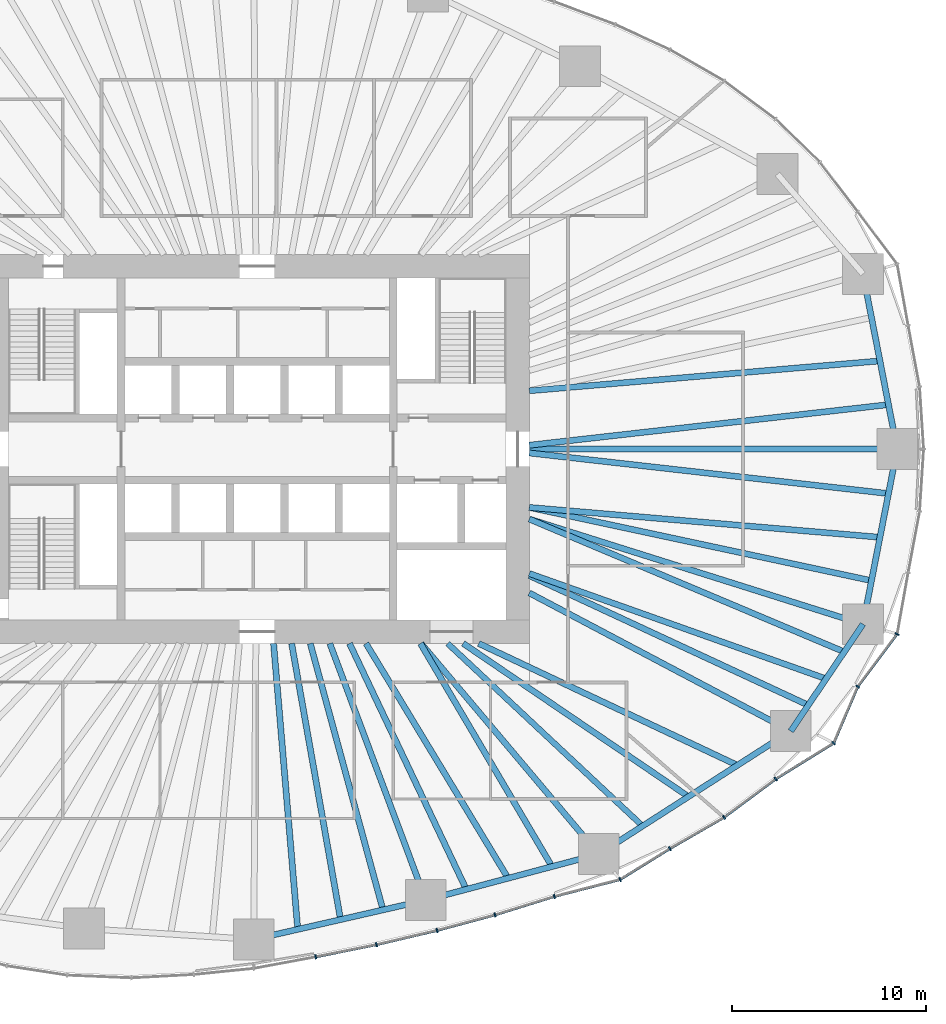
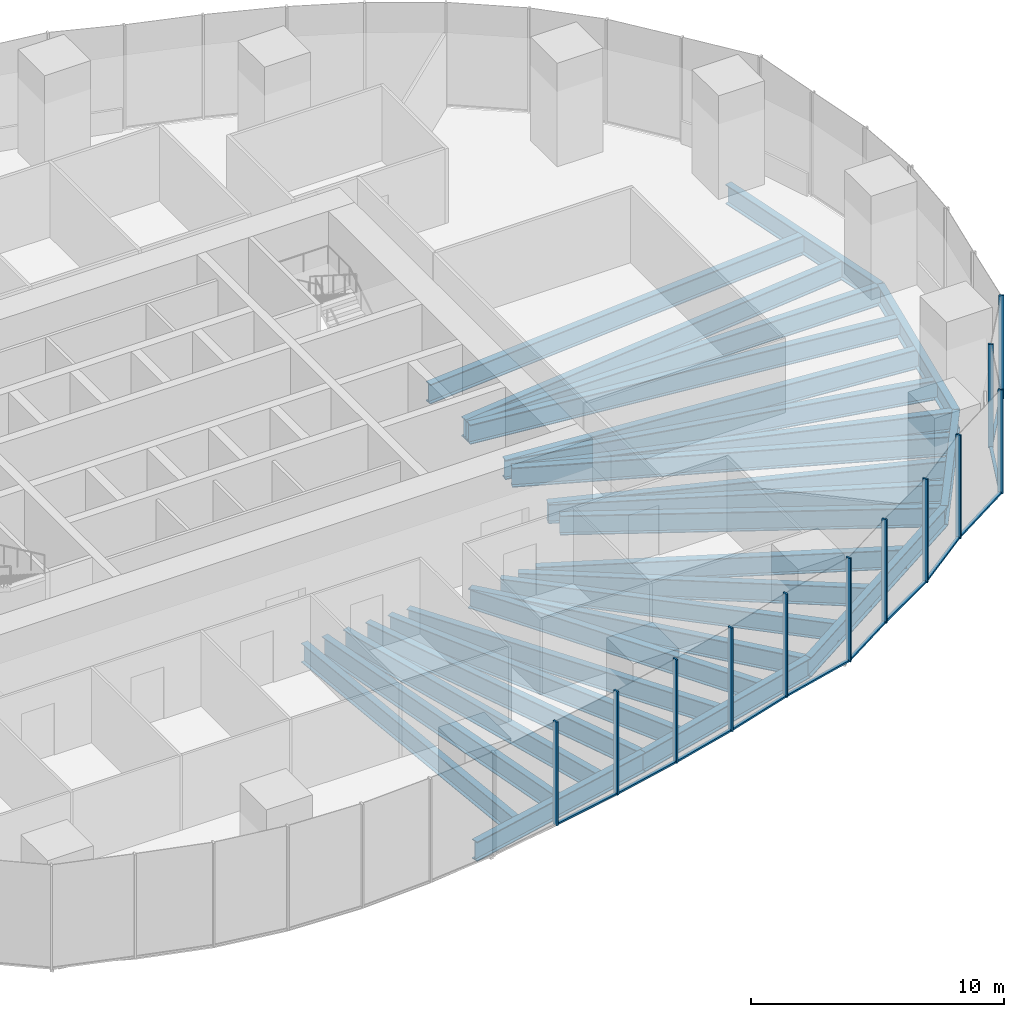
# One storey, part 4 of 20: 28 beams, 23 members, 5 elements without a shape of their own.
"""IFC4 building model written with IfcOpenShell, lengths in metres."""

from ifc_helpers import new_model, si_unit, direction, frame, origin, origin_2d, place, context, subcontext, project, spatial, rectangle, i_section, extrude, material, material_profile, profile_set, type_object, element, aggregate, save


model = new_model("IFC4")

# Units and contexts
model_context = context("Model", 3, precision=1e-05, world=origin(), true_north=direction((0.0, 1.0)))
body_context = subcontext(model_context, "Body", "Model", "MODEL_VIEW")
ifc_project = project(units=[si_unit("LENGTHUNIT", "METRE"), si_unit("AREAUNIT", "SQUARE_METRE"), si_unit("VOLUMEUNIT", "CUBIC_METRE"), si_unit("PLANEANGLEUNIT", "RADIAN"), si_unit("MASSUNIT", "GRAM", prefix="KILO")], contexts=[model_context])

# Site, building, storey
site_placement = place(None, origin())
site = spatial("IfcSite", under=ifc_project, at=site_placement, CompositionType="ELEMENT")
building_placement = place(site_placement, origin())
building = spatial("IfcBuilding", under=site, at=building_placement, Name="Ghaith Harvest Tower", CompositionType="ELEMENT")
storey_placement = place(building_placement, frame((0.0, 0.0, 50.0)))
storey = spatial("IfcBuildingStorey", under=building, at=storey_placement, Name="L10", CompositionType="ELEMENT", Elevation=50.0)

# Curtain wall, members
ifc_material_1 = material(Name="Black anodised aluminium and fritted glass", Category="aluminium")
curtain_wall_type = type_object("IfcCurtainWallType", Name="CW-F CURTAIN WALL", PredefinedType="NOTDEFINED", material=ifc_material_1)
curtain_wall_1_placement = place(storey_placement, origin())
curtain_wall_1 = element("IfcCurtainWall", 1, at=curtain_wall_1_placement, inside=storey, type_object=curtain_wall_type, Name="Curtain wall CW-F bay 16 L10", PredefinedType="NOTDEFINED")
ifc_material_2 = material(Name="Aluminium, black anodised", Category="aluminium")
ifc_material_profile_1 = material_profile(ifc_material_2, rectangle(XDim=0.080078125, YDim=0.219970703125, at=origin_2d()), Name="CW-F MULLION 80x220")
ifc_profile_set_1 = profile_set([ifc_material_profile_1], Name="Aluminium, black anodised")
member_type_1 = type_object("IfcMemberType", Name="CW-F MULLION 80x220", PredefinedType="MULLION", material=ifc_profile_set_1)
member_1_placement = place(storey_placement, frame((3.00927734375, -26.123291015625, 0.0), z_axis=(0.0, 0.0, 1.0), x_axis=(0.981818445714, 0.189822389762, 0.0)))
member_1 = element("IfcMember", 2, at=member_1_placement, type_object=member_type_1, Name="CW-F mullion 2 bay 16 L10", PredefinedType="MULLION", context=body_context, shape_type="SweptSolid", body=[
    extrude(rectangle(XDim=0.080078125, YDim=0.219970703125, at=origin_2d()), origin(), (0.0, 0.0, 1.0), 5.0),
])
member_2_placement = place(storey_placement, frame((6.136962890625, -25.495361328125, 0.0), z_axis=(0.0, 0.0, 1.0), x_axis=(0.977117973572, 0.212698062336, 0.0)))
member_2 = element("IfcMember", 3, at=member_2_placement, type_object=member_type_1, Name="CW-F mullion 3 bay 16 L10", PredefinedType="MULLION", context=body_context, shape_type="SweptSolid", body=[
    extrude(rectangle(XDim=0.080078125, YDim=0.219970703125, at=origin_2d()), origin(), (0.0, 0.0, 1.0), 5.0),
])

curtain_wall_2_placement = place(storey_placement, origin())
curtain_wall_2 = element("IfcCurtainWall", 4, at=curtain_wall_2_placement, inside=storey, type_object=curtain_wall_type, Name="Curtain wall CW-F bay 17 L10", PredefinedType="NOTDEFINED")
member_3_placement = place(storey_placement, frame((9.25732421875, -24.76318359375, 0.0), z_axis=(0.0, 0.0, 1.0), x_axis=(0.969903429248, 0.24348991341, 0.0)))
member_3 = element("IfcMember", 5, at=member_3_placement, type_object=member_type_1, Name="CW-F mullion 1 bay 17 L10", PredefinedType="MULLION", context=body_context, shape_type="SweptSolid", body=[
    extrude(rectangle(XDim=0.080078125, YDim=0.219970703125, at=origin_2d()), origin(), (0.0, 0.0, 1.0), 5.0),
])
member_4_placement = place(storey_placement, frame((12.234375, -23.964599609375, 0.0), z_axis=(0.0, 0.0, 1.0), x_axis=(0.960502189734, 0.278272426799, 0.0)))
member_4 = element("IfcMember", 6, at=member_4_placement, type_object=member_type_1, Name="CW-F mullion 2 bay 17 L10", PredefinedType="MULLION", context=body_context, shape_type="SweptSolid", body=[
    extrude(rectangle(XDim=0.080078125, YDim=0.219970703125, at=origin_2d()), origin(), (0.0, 0.0, 1.0), 5.0),
])
member_5_placement = place(storey_placement, frame((15.28759765625, -23.01611328125, 0.0), z_axis=(0.0, 0.0, 1.0), x_axis=(0.962313144018, 0.27194376781, 0.0)))
member_5 = element("IfcMember", 7, at=member_5_placement, type_object=member_type_1, Name="CW-F mullion 3 bay 17 L10", PredefinedType="MULLION", context=body_context, shape_type="SweptSolid", body=[
    extrude(rectangle(XDim=0.080078125, YDim=0.219970703125, at=origin_2d()), origin(), (0.0, 0.0, 1.0), 5.0),
])

curtain_wall_3_placement = place(storey_placement, origin())
curtain_wall_3 = element("IfcCurtainWall", 8, at=curtain_wall_3_placement, inside=storey, type_object=curtain_wall_type, Name="Curtain wall CW-F bay 18 L10", PredefinedType="NOTDEFINED")
member_6_placement = place(storey_placement, frame((18.674072265625, -22.144775390625, 0.0), z_axis=(0.0, 0.0, 1.0), x_axis=(0.923910199299, 0.382609387799, 0.0)))
member_6 = element("IfcMember", 9, at=member_6_placement, type_object=member_type_1, Name="CW-F mullion 1 bay 18 L10", PredefinedType="MULLION", context=body_context, shape_type="SweptSolid", body=[
    extrude(rectangle(XDim=0.080078125, YDim=0.219970703125, at=origin_2d()), origin(), (0.0, 0.0, 1.0), 5.0),
])
member_7_placement = place(storey_placement, frame((21.2353515625, -20.552978515625, 0.0), z_axis=(0.0, 0.0, 1.0), x_axis=(0.858140414942, 0.513415064293, 0.0)))
member_7 = element("IfcMember", 10, at=member_7_placement, type_object=member_type_1, Name="CW-F mullion 2 bay 18 L10", PredefinedType="MULLION", context=body_context, shape_type="SweptSolid", body=[
    extrude(rectangle(XDim=0.080078125, YDim=0.219970703125, at=origin_2d()), origin(), (0.0, 0.0, 1.0), 5.0),
])
member_8_placement = place(storey_placement, frame((24.018310546875, -18.947265625, 0.0), z_axis=(0.0, 0.0, 1.0), x_axis=(0.835443516838, 0.549576318788, 0.0)))
member_8 = element("IfcMember", 11, at=member_8_placement, type_object=member_type_1, Name="CW-F mullion 3 bay 18 L10", PredefinedType="MULLION", context=body_context, shape_type="SweptSolid", body=[
    extrude(rectangle(XDim=0.080078125, YDim=0.219970703125, at=origin_2d()), origin(), (0.0, 0.0, 1.0), 5.0),
])

curtain_wall_4_placement = place(storey_placement, origin())
curtain_wall_4 = element("IfcCurtainWall", 12, at=curtain_wall_4_placement, inside=storey, type_object=curtain_wall_type, Name="Curtain wall CW-F bay 19 L10", PredefinedType="NOTDEFINED")
member_9_placement = place(storey_placement, frame((26.673828125, -16.9755859375, 0.0), z_axis=(0.0, 0.0, 1.0), x_axis=(0.828002038115, 0.560725088504, 0.0)))
member_9 = element("IfcMember", 13, at=member_9_placement, type_object=member_type_1, Name="CW-F mullion 1 bay 19 L10", PredefinedType="MULLION", context=body_context, shape_type="SweptSolid", body=[
    extrude(rectangle(XDim=0.080078125, YDim=0.219970703125, at=origin_2d()), origin(), (0.0, 0.0, 1.0), 5.0),
])
member_10_placement = place(storey_placement, frame((29.659912109375, -15.126953125, 0.0), z_axis=(0.0, 0.0, 1.0), x_axis=(0.663604797505, 0.748083332743, 0.0)))
member_10 = element("IfcMember", 14, at=member_10_placement, type_object=member_type_1, Name="CW-F mullion 2 bay 19 L10", PredefinedType="MULLION", context=body_context, shape_type="SweptSolid", body=[
    extrude(rectangle(XDim=0.080078125, YDim=0.219970703125, at=origin_2d()), origin(), (0.0, 0.0, 1.0), 5.0),
])
member_11_placement = place(storey_placement, frame((30.896728515625, -12.215087890625, 0.0), z_axis=(0.0, 0.0, 1.0), x_axis=(0.5027946428, 0.864405892606, 0.0)))
member_11 = element("IfcMember", 15, at=member_11_placement, type_object=member_type_1, Name="CW-F mullion 3 bay 19 L10", PredefinedType="MULLION", context=body_context, shape_type="SweptSolid", body=[
    extrude(rectangle(XDim=0.080078125, YDim=0.219970703125, at=origin_2d()), origin(), (0.0, 0.0, 1.0), 5.0),
])

# Curtain wall, member
curtain_wall_5_placement = place(storey_placement, origin())
curtain_wall_5 = element("IfcCurtainWall", 16, at=curtain_wall_5_placement, inside=storey, type_object=curtain_wall_type, Name="Curtain wall CW-F bay 20 L10", PredefinedType="NOTDEFINED")
member_12_placement = place(storey_placement, frame((32.923583984375, -9.515625, 0.0), z_axis=(0.0, 0.0, 1.0), x_axis=(0.404701694001, 0.914448762301, 0.0)))
member_12 = element("IfcMember", 17, at=member_12_placement, type_object=member_type_1, Name="CW-F mullion 1 bay 20 L10", PredefinedType="MULLION", context=body_context, shape_type="SweptSolid", body=[
    extrude(rectangle(XDim=0.080078125, YDim=0.219970703125, at=origin_2d()), origin(), (0.0, 0.0, 1.0), 5.0),
])
aggregate(curtain_wall_5, [member_12])

# Member
ifc_material_3 = material(Name="Aluminium, black anodised", Category="aluminium")
ifc_material_profile_2 = material_profile(ifc_material_3, rectangle(XDim=0.139892578125, YDim=0.080078125, at=origin_2d()), Name="CW-F TRANSOM 140x80")
ifc_profile_set_2 = profile_set([ifc_material_profile_2], Name="Aluminium, black anodised")
member_type_2 = type_object("IfcMemberType", Name="CW-F TRANSOM 140x80", PredefinedType="USERDEFINED", material=ifc_profile_set_2)
member_13_placement = place(storey_placement, frame((3.04833984375, -26.115478515625, 0.0400390625), z_axis=(0.980432471193, 0.196855707129, 0.0), x_axis=(-0.196855707129, 0.980432471193, 0.0)))
member_13 = element("IfcMember", 18, at=member_13_placement, type_object=member_type_2, Name="CW-F transom 2 bay 16 L10", ObjectType="TRANSOM", PredefinedType="USERDEFINED", context=body_context, shape_type="SweptSolid", body=[
    extrude(rectangle(XDim=0.139892578125, YDim=0.080078125, at=origin_2d()), origin(), (0.0, 0.0, 1.0), 3.1103515625),
])

member_14_placement = place(storey_placement, frame((6.176025390625, -25.486083984375, 0.0400390625), z_axis=(0.973560415159, 0.228429678537, 0.0), x_axis=(-0.228429678537, 0.973560415159, 0.0)))
member_14 = element("IfcMember", 19, at=member_14_placement, type_object=member_type_2, Name="CW-F transom 3 bay 16 L10", ObjectType="TRANSOM", PredefinedType="USERDEFINED", context=body_context, shape_type="SweptSolid", body=[
    extrude(rectangle(XDim=0.139892578125, YDim=0.080078125, at=origin_2d()), origin(), (0.0, 0.0, 1.0), 3.125),
])

aggregate(curtain_wall_1, [member_1, member_13, member_2, member_14])

member_15_placement = place(storey_placement, frame((9.2958984375, -24.7529296875, 0.0400390625), z_axis=(0.965832908495, 0.259165570377, 0.0), x_axis=(-0.259165570377, 0.965832908495, 0.0)))
member_15 = element("IfcMember", 20, at=member_15_placement, type_object=member_type_2, Name="CW-F transom 1 bay 17 L10", ObjectType="TRANSOM", PredefinedType="USERDEFINED", context=body_context, shape_type="SweptSolid", body=[
    extrude(rectangle(XDim=0.139892578125, YDim=0.080078125, at=origin_2d()), origin(), (0.0, 0.0, 1.0), 3.002197265625),
])

member_16_placement = place(storey_placement, frame((12.2724609375, -23.95263671875, 0.0400390625), z_axis=(0.954998362353, 0.296611071781, 0.0), x_axis=(-0.296611071781, 0.954998362353, 0.0)))
member_16 = element("IfcMember", 21, at=member_16_placement, type_object=member_type_2, Name="CW-F transom 2 bay 17 L10", ObjectType="TRANSOM", PredefinedType="USERDEFINED", context=body_context, shape_type="SweptSolid", body=[
    extrude(rectangle(XDim=0.139892578125, YDim=0.080078125, at=origin_2d()), origin(), (0.0, 0.0, 1.0), 3.1171875),
])

member_17_placement = place(storey_placement, frame((15.326171875, -23.006103515625, 0.0400390625), z_axis=(0.968463874592, 0.249154015841, 0.0), x_axis=(-0.249154015841, 0.968463874592, 0.0)))
member_17 = element("IfcMember", 22, at=member_17_placement, type_object=member_type_2, Name="CW-F transom 3 bay 17 L10", ObjectType="TRANSOM", PredefinedType="USERDEFINED", context=body_context, shape_type="SweptSolid", body=[
    extrude(rectangle(XDim=0.139892578125, YDim=0.080078125, at=origin_2d()), origin(), (0.0, 0.0, 1.0), 3.416748046875),
])

aggregate(curtain_wall_2, [member_3, member_15, member_4, member_16, member_5, member_17])

member_18_placement = place(storey_placement, frame((18.7080078125, -22.12353515625, 0.0400390625), z_axis=(0.849383069026, 0.527776848726, 0.0), x_axis=(-0.527776848726, 0.849383069026, 0.0)))
member_18 = element("IfcMember", 23, at=member_18_placement, type_object=member_type_2, Name="CW-F transom 1 bay 18 L10", ObjectType="TRANSOM", PredefinedType="USERDEFINED", context=body_context, shape_type="SweptSolid", body=[
    extrude(rectangle(XDim=0.139892578125, YDim=0.080078125, at=origin_2d()), origin(), (0.0, 0.0, 1.0), 2.935546875),
])

member_19_placement = place(storey_placement, frame((21.27001953125, -20.532958984375, 0.0400390625), z_axis=(0.866168719914, 0.499751686983, 0.0), x_axis=(-0.499751686983, 0.866168719914, 0.0)))
member_19 = element("IfcMember", 24, at=member_19_placement, type_object=member_type_2, Name="CW-F transom 2 bay 18 L10", ObjectType="TRANSOM", PredefinedType="USERDEFINED", context=body_context, shape_type="SweptSolid", body=[
    extrude(rectangle(XDim=0.139892578125, YDim=0.080078125, at=origin_2d()), origin(), (0.0, 0.0, 1.0), 3.1328125),
])

member_20_placement = place(storey_placement, frame((24.050537109375, -18.92333984375, 0.0400390625), z_axis=(0.802877287823, 0.596144328748, 0.0), x_axis=(-0.596144328748, 0.802877287823, 0.0)))
member_20 = element("IfcMember", 25, at=member_20_placement, type_object=member_type_2, Name="CW-F transom 3 bay 18 L10", ObjectType="TRANSOM", PredefinedType="USERDEFINED", context=body_context, shape_type="SweptSolid", body=[
    extrude(rectangle(XDim=0.139892578125, YDim=0.080078125, at=origin_2d()), origin(), (0.0, 0.0, 1.0), 3.2275390625),
])

aggregate(curtain_wall_3, [member_6, member_18, member_7, member_19, member_8, member_20])

member_21_placement = place(storey_placement, frame((26.707763671875, -16.954345703125, 0.0400390625), z_axis=(0.850260598386, 0.526361961802, 0.0), x_axis=(-0.526361961802, 0.850260598386, 0.0)))
member_21 = element("IfcMember", 26, at=member_21_placement, type_object=member_type_2, Name="CW-F transom 1 bay 19 L10", ObjectType="TRANSOM", PredefinedType="USERDEFINED", context=body_context, shape_type="SweptSolid", body=[
    extrude(rectangle(XDim=0.139892578125, YDim=0.080078125, at=origin_2d()), origin(), (0.0, 0.0, 1.0), 3.431884765625),
])

member_22_placement = place(storey_placement, frame((29.675537109375, -15.090087890625, 0.0400390625), z_axis=(0.390936107494, 0.92041781809, 0.0), x_axis=(-0.92041781809, 0.390936107494, 0.0)))
member_22 = element("IfcMember", 27, at=member_22_placement, type_object=member_type_2, Name="CW-F transom 2 bay 19 L10", ObjectType="TRANSOM", PredefinedType="USERDEFINED", context=body_context, shape_type="SweptSolid", body=[
    extrude(rectangle(XDim=0.139892578125, YDim=0.080078125, at=origin_2d()), origin(), (0.0, 0.0, 1.0), 3.083740234375),
])

member_23_placement = place(storey_placement, frame((30.920654296875, -12.18310546875, 0.0400390625), z_axis=(0.600462135687, 0.799653189581, 0.0), x_axis=(-0.799653189581, 0.600462135687, 0.0)))
member_23 = element("IfcMember", 28, at=member_23_placement, type_object=member_type_2, Name="CW-F transom 3 bay 19 L10", ObjectType="TRANSOM", PredefinedType="USERDEFINED", context=body_context, shape_type="SweptSolid", body=[
    extrude(rectangle(XDim=0.139892578125, YDim=0.080078125, at=origin_2d()), origin(), (0.0, 0.0, 1.0), 3.2958984375),
])

aggregate(curtain_wall_4, [member_9, member_21, member_10, member_22, member_11, member_23])

# Beams
ifc_material_4 = material(Name="Steel ASTM A992 Grade 50", Category="steel")
ifc_material_profile_3 = material_profile(ifc_material_4, i_section(OverallWidth=0.306884765625, OverallDepth=0.94189453125, WebThickness=0.022216796875, FlangeThickness=0.039794921875, at=origin_2d()), Name="W920X345")
ifc_profile_set_3 = profile_set([ifc_material_profile_3], Name="Steel ASTM A992 Grade 50")
beam_type_1 = type_object("IfcBeamType", Name="E920-345 W920X345", PredefinedType="SPANDREL", material=ifc_profile_set_3)
beam_1_placement = place(storey_placement, frame((32.925048828125, 0.0, -0.6708984375), z_axis=(-0.191653479461, 0.981462655332, 0.0), x_axis=(-0.981462655332, -0.191653479461, 0.0)))
element("IfcBeam", 29, at=beam_1_placement, inside=storey, type_object=beam_type_1, Name="Edge beam E01 L10", PredefinedType="SPANDREL", context=body_context, shape_type="SweptSolid", body=[
    extrude(i_section(OverallWidth=0.306884765625, OverallDepth=0.94189453125, WebThickness=0.022216796875, FlangeThickness=0.039794921875, at=origin_2d()), origin(), (0.0, 0.0, 1.0), 9.17822265625),
])
beam_2_placement = place(storey_placement, frame((-0.173095703125, -25.22412109375, -0.6708984375), z_axis=(0.974881709383, 0.22272326486, 0.0), x_axis=(-0.22272326486, 0.974881709383, 0.0)))
element("IfcBeam", 30, at=beam_2_placement, inside=storey, type_object=beam_type_1, Name="Edge beam E16 L10", PredefinedType="SPANDREL", context=body_context, shape_type="SweptSolid", body=[
    extrude(i_section(OverallWidth=0.306884765625, OverallDepth=0.94189453125, WebThickness=0.022216796875, FlangeThickness=0.039794921875, at=origin_2d()), origin(), (0.0, 0.0, 1.0), 9.0751953125),
])
beam_3_placement = place(storey_placement, frame((8.674072265625, -23.202880859375, -0.6708984375), z_axis=(0.966419097109, 0.256971065963, 0.0), x_axis=(-0.256971065963, 0.966419097109, 0.0)))
element("IfcBeam", 31, at=beam_3_placement, inside=storey, type_object=beam_type_1, Name="Edge beam E17 L10", PredefinedType="SPANDREL", context=body_context, shape_type="SweptSolid", body=[
    extrude(i_section(OverallWidth=0.306884765625, OverallDepth=0.94189453125, WebThickness=0.022216796875, FlangeThickness=0.039794921875, at=origin_2d()), origin(), (0.0, 0.0, 1.0), 9.20703125),
])
beam_4_placement = place(storey_placement, frame((17.572021484375, -20.8369140625, -0.6708984375), z_axis=(0.842014649705, 0.539454659524, 0.0), x_axis=(-0.539454659524, 0.842014649705, 0.0)))
element("IfcBeam", 32, at=beam_4_placement, inside=storey, type_object=beam_type_1, Name="Edge beam E18 L10", PredefinedType="SPANDREL", context=body_context, shape_type="SweptSolid", body=[
    extrude(i_section(OverallWidth=0.306884765625, OverallDepth=0.94189453125, WebThickness=0.022216796875, FlangeThickness=0.039794921875, at=origin_2d()), origin(), (0.0, 0.0, 1.0), 11.730224609375),
])
beam_5_placement = place(storey_placement, frame((27.448974609375, -14.509033203125, -0.6708984375), z_axis=(0.559874470017, 0.828577442261, 0.0), x_axis=(-0.828577442261, 0.559874470017, 0.0)))
element("IfcBeam", 33, at=beam_5_placement, inside=storey, type_object=beam_type_1, Name="Edge beam E19 L10", PredefinedType="SPANDREL", context=body_context, shape_type="SweptSolid", body=[
    extrude(i_section(OverallWidth=0.306884765625, OverallDepth=0.94189453125, WebThickness=0.022216796875, FlangeThickness=0.039794921875, at=origin_2d()), origin(), (0.0, 0.0, 1.0), 6.63916015625),
])
beam_6_placement = place(storey_placement, frame((31.166015625, -9.008056640625, -0.6708984375), z_axis=(0.191653479461, 0.981462655332, 0.0), x_axis=(-0.981462655332, 0.191653479461, 0.0)))
element("IfcBeam", 34, at=beam_6_placement, inside=storey, type_object=beam_type_1, Name="Edge beam E20 L10", PredefinedType="SPANDREL", context=body_context, shape_type="SweptSolid", body=[
    extrude(i_section(OverallWidth=0.306884765625, OverallDepth=0.94189453125, WebThickness=0.022216796875, FlangeThickness=0.039794921875, at=origin_2d()), origin(), (0.0, 0.0, 1.0), 9.17822265625),
])
ifc_material_5 = material(Name="Steel ASTM A992 Grade 50", Category="steel")
ifc_material_profile_4 = material_profile(ifc_material_5, i_section(OverallWidth=0.306884765625, OverallDepth=0.94189453125, WebThickness=0.022216796875, FlangeThickness=0.039794921875, at=origin_2d()), Name="W920X345")
ifc_profile_set_4 = profile_set([ifc_material_profile_4], Name="Steel ASTM A992 Grade 50")
beam_type_2 = type_object("IfcBeamType", Name="G920-345 W920X345", PredefinedType="BEAM", material=ifc_profile_set_4)
beam_7_placement = place(storey_placement, frame((14.0, 0.0, -0.6708984375), z_axis=(1.0, 0.0, 0.0), x_axis=(0.0, 1.0, 0.0)))
element("IfcBeam", 35, at=beam_7_placement, inside=storey, type_object=beam_type_2, Name="Radial girder G01 L10", PredefinedType="BEAM", context=body_context, shape_type="SweptSolid", body=[
    extrude(i_section(OverallWidth=0.306884765625, OverallDepth=0.94189453125, WebThickness=0.022216796875, FlangeThickness=0.039794921875, at=origin_2d()), origin(), (0.0, 0.0, 1.0), 18.925048828125),
])
beam_8_placement = place(storey_placement, frame((3.73828125, -10.0, -0.6708984375), z_axis=(0.350172283717, -0.936685310932, 0.0), x_axis=(0.936685310932, 0.350172283717, 0.0)))
element("IfcBeam", 36, at=beam_8_placement, inside=storey, type_object=beam_type_2, Name="Radial girder G17 L10", PredefinedType="BEAM", context=body_context, shape_type="SweptSolid", body=[
    extrude(i_section(OverallWidth=0.306884765625, OverallDepth=0.94189453125, WebThickness=0.022216796875, FlangeThickness=0.039794921875, at=origin_2d()), origin(), (0.0, 0.0, 1.0), 14.09521484375),
])
beam_9_placement = place(storey_placement, frame((8.4326171875, -10.0, -0.6708984375), z_axis=(0.644696130938, -0.764438943771, 0.0), x_axis=(0.764438943771, 0.644696130938, 0.0)))
element("IfcBeam", 37, at=beam_9_placement, inside=storey, type_object=beam_type_2, Name="Radial girder G18 L10", PredefinedType="BEAM", context=body_context, shape_type="SweptSolid", body=[
    extrude(i_section(OverallWidth=0.306884765625, OverallDepth=0.94189453125, WebThickness=0.022216796875, FlangeThickness=0.039794921875, at=origin_2d()), origin(), (0.0, 0.0, 1.0), 14.17626953125),
])
beam_10_placement = place(storey_placement, frame((14.0, -7.39990234375, -0.6708984375), z_axis=(0.884084425997, -0.467327216959, 0.0), x_axis=(0.467327216959, 0.884084425997, 0.0)))
element("IfcBeam", 38, at=beam_10_placement, inside=storey, type_object=beam_type_2, Name="Radial girder G19 L10", PredefinedType="BEAM", context=body_context, shape_type="SweptSolid", body=[
    extrude(i_section(OverallWidth=0.306884765625, OverallDepth=0.94189453125, WebThickness=0.022216796875, FlangeThickness=0.039794921875, at=origin_2d()), origin(), (0.0, 0.0, 1.0), 15.21240234375),
])
beam_11_placement = place(storey_placement, frame((14.0, -3.60009765625, -0.6708984375), z_axis=(0.953788071692, -0.300480139607, 0.0), x_axis=(0.300480139607, 0.953788071692, 0.0)))
element("IfcBeam", 39, at=beam_11_placement, inside=storey, type_object=beam_type_2, Name="Radial girder G20 L10", PredefinedType="BEAM", context=body_context, shape_type="SweptSolid", body=[
    extrude(i_section(OverallWidth=0.306884765625, OverallDepth=0.94189453125, WebThickness=0.022216796875, FlangeThickness=0.039794921875, at=origin_2d()), origin(), (0.0, 0.0, 1.0), 17.997802734375),
])
ifc_material_6 = material(Name="Steel ASTM A992 Grade 50", Category="steel")
ifc_material_profile_5 = material_profile(ifc_material_6, i_section(OverallWidth=0.2939453125, OverallDepth=0.85107421875, WebThickness=0.01611328125, FlangeThickness=0.02685546875, at=origin_2d()), Name="W840X226")
ifc_profile_set_5 = profile_set([ifc_material_profile_5], Name="Steel ASTM A992 Grade 50")
beam_type_3 = type_object("IfcBeamType", Name="J840-226 W840X226", PredefinedType="JOIST", material=ifc_profile_set_5)
beam_12_placement = place(storey_placement, frame((9.800048828125, -10.0, -0.62548828125), z_axis=(0.72994990542, -0.683500647825, 0.0), x_axis=(0.683500647825, 0.72994990542, 0.0)))
element("IfcBeam", 40, at=beam_12_placement, inside=storey, type_object=beam_type_3, Name="Joist J18.1 L10", PredefinedType="JOIST", context=body_context, shape_type="SweptSolid", body=[
    extrude(i_section(OverallWidth=0.2939453125, OverallDepth=0.85107421875, WebThickness=0.01611328125, FlangeThickness=0.02685546875, at=origin_2d()), origin(), (0.0, 0.0, 1.0), 13.7392578125),
])
ifc_material_7 = material(Name="Steel ASTM A992 Grade 50", Category="steel")
ifc_material_profile_6 = material_profile(ifc_material_7, i_section(OverallWidth=0.31005859375, OverallDepth=0.927001953125, WebThickness=0.019287109375, FlangeThickness=0.031982421875, at=origin_2d()), Name="W920X289")
ifc_profile_set_6 = profile_set([ifc_material_profile_6], Name="Steel ASTM A992 Grade 50")
beam_type_4 = type_object("IfcBeamType", Name="J920-289 W920X289", PredefinedType="JOIST", material=ifc_profile_set_6)
beam_13_placement = place(storey_placement, frame((0.844970703125, -10.0, -0.66357421875), z_axis=(0.084208979751, -0.996448115924, 0.0), x_axis=(0.996448115924, 0.084208979751, 0.0)))
element("IfcBeam", 41, at=beam_13_placement, inside=storey, type_object=beam_type_4, Name="Joist J16.1 L10", PredefinedType="JOIST", context=body_context, shape_type="SweptSolid", body=[
    extrude(i_section(OverallWidth=0.31005859375, OverallDepth=0.927001953125, WebThickness=0.019287109375, FlangeThickness=0.031982421875, at=origin_2d()), origin(), (0.0, 0.0, 1.0), 14.760009765625),
])
beam_14_placement = place(storey_placement, frame((1.772705078125, -10.0, -0.66357421875), z_axis=(0.174552818486, -0.98464781194, 0.0), x_axis=(0.98464781194, 0.174552818486, 0.0)))
element("IfcBeam", 42, at=beam_14_placement, inside=storey, type_object=beam_type_4, Name="Joist J16.2 L10", PredefinedType="JOIST", context=body_context, shape_type="SweptSolid", body=[
    extrude(i_section(OverallWidth=0.31005859375, OverallDepth=0.927001953125, WebThickness=0.019287109375, FlangeThickness=0.031982421875, at=origin_2d()), origin(), (0.0, 0.0, 1.0), 14.42578125),
])
beam_15_placement = place(storey_placement, frame((2.73095703125, -10.0, -0.66357421875), z_axis=(0.263463446032, -0.964669379946, 0.0), x_axis=(0.964669379946, 0.263463446032, 0.0)))
element("IfcBeam", 43, at=beam_15_placement, inside=storey, type_object=beam_type_4, Name="Joist J16.3 L10", PredefinedType="JOIST", context=body_context, shape_type="SweptSolid", body=[
    extrude(i_section(OverallWidth=0.31005859375, OverallDepth=0.927001953125, WebThickness=0.019287109375, FlangeThickness=0.031982421875, at=origin_2d()), origin(), (0.0, 0.0, 1.0), 14.20751953125),
])
beam_16_placement = place(storey_placement, frame((4.75, -10.0, -0.66357421875), z_axis=(0.429067127754, -0.903272605519, 0.0), x_axis=(0.903272605519, 0.429067127754, 0.0)))
element("IfcBeam", 44, at=beam_16_placement, inside=storey, type_object=beam_type_4, Name="Joist J17.1 L10", PredefinedType="JOIST", context=body_context, shape_type="SweptSolid", body=[
    extrude(i_section(OverallWidth=0.31005859375, OverallDepth=0.927001953125, WebThickness=0.019287109375, FlangeThickness=0.031982421875, at=origin_2d()), origin(), (0.0, 0.0, 1.0), 14.003173828125),
])
beam_17_placement = place(storey_placement, frame((5.60009765625, -10.0, -0.66357421875), z_axis=(0.517828660199, -0.855484353262, 0.0), x_axis=(0.855484353262, 0.517828660199, 0.0)))
element("IfcBeam", 45, at=beam_17_placement, inside=storey, type_object=beam_type_4, Name="Joist J17.2 L10", PredefinedType="JOIST", context=body_context, shape_type="SweptSolid", body=[
    extrude(i_section(OverallWidth=0.31005859375, OverallDepth=0.927001953125, WebThickness=0.019287109375, FlangeThickness=0.031982421875, at=origin_2d()), origin(), (0.0, 0.0, 1.0), 14.11669921875),
])
beam_18_placement = place(storey_placement, frame((8.39990234375, -10.0, -0.66357421875), z_axis=(0.507894375661, -0.861419353841, 0.0), x_axis=(0.861419353841, 0.507894375661, 0.0)))
element("IfcBeam", 46, at=beam_18_placement, inside=storey, type_object=beam_type_4, Name="Joist J17.3 L10", PredefinedType="JOIST", context=body_context, shape_type="SweptSolid", body=[
    extrude(i_section(OverallWidth=0.31005859375, OverallDepth=0.927001953125, WebThickness=0.019287109375, FlangeThickness=0.031982421875, at=origin_2d()), origin(), (0.0, 0.0, 1.0), 13.32275390625),
])
beam_19_placement = place(storey_placement, frame((10.60009765625, -10.0, -0.66357421875), z_axis=(0.826982555637, -0.562227580853, 0.0), x_axis=(0.562227580853, 0.826982555637, 0.0)))
element("IfcBeam", 47, at=beam_19_placement, inside=storey, type_object=beam_type_4, Name="Joist J18.2 L10", PredefinedType="JOIST", context=body_context, shape_type="SweptSolid", body=[
    extrude(i_section(OverallWidth=0.31005859375, OverallDepth=0.927001953125, WebThickness=0.019287109375, FlangeThickness=0.031982421875, at=origin_2d()), origin(), (0.0, 0.0, 1.0), 14.013671875),
])
beam_20_placement = place(storey_placement, frame((11.39990234375, -10.0, -0.66357421875), z_axis=(0.904709580205, -0.426028843489, 0.0), x_axis=(0.426028843489, 0.904709580205, 0.0)))
element("IfcBeam", 48, at=beam_20_placement, inside=storey, type_object=beam_type_4, Name="Joist J18.3 L10", PredefinedType="JOIST", context=body_context, shape_type="SweptSolid", body=[
    extrude(i_section(OverallWidth=0.31005859375, OverallDepth=0.927001953125, WebThickness=0.019287109375, FlangeThickness=0.031982421875, at=origin_2d()), origin(), (0.0, 0.0, 1.0), 14.708251953125),
])
beam_21_placement = place(storey_placement, frame((14.0, -6.506103515625, -0.66357421875), z_axis=(0.906865804441, -0.421419521067, 0.0), x_axis=(0.421419521067, 0.906865804441, 0.0)))
element("IfcBeam", 49, at=beam_21_placement, inside=storey, type_object=beam_type_4, Name="Joist J19.1 L10", PredefinedType="JOIST", context=body_context, shape_type="SweptSolid", body=[
    extrude(i_section(OverallWidth=0.31005859375, OverallDepth=0.927001953125, WebThickness=0.019287109375, FlangeThickness=0.031982421875, at=origin_2d()), origin(), (0.0, 0.0, 1.0), 15.824462890625),
])
ifc_material_8 = material(Name="Steel ASTM A992 Grade 50", Category="steel")
ifc_material_profile_7 = material_profile(ifc_material_8, i_section(OverallWidth=0.306884765625, OverallDepth=0.94189453125, WebThickness=0.022216796875, FlangeThickness=0.039794921875, at=origin_2d()), Name="W920X345")
ifc_profile_set_7 = profile_set([ifc_material_profile_7], Name="Steel ASTM A992 Grade 50")
beam_type_5 = type_object("IfcBeamType", Name="J920-345 W920X345", PredefinedType="JOIST", material=ifc_profile_set_7)
beam_22_placement = place(storey_placement, frame((14.0, 0.199951171875, -0.6708984375), z_axis=(0.993675458798, 0.112290171352, 0.0), x_axis=(-0.112290171352, 0.993675458798, 0.0)))
element("IfcBeam", 50, at=beam_22_placement, inside=storey, type_object=beam_type_5, Name="Joist J01.1 L10", PredefinedType="JOIST", context=body_context, shape_type="SweptSolid", body=[
    extrude(i_section(OverallWidth=0.306884765625, OverallDepth=0.94189453125, WebThickness=0.022216796875, FlangeThickness=0.039794921875, at=origin_2d()), origin(), (0.0, 0.0, 1.0), 18.595947265625),
])
beam_23_placement = place(storey_placement, frame((14.0, 3.0, -0.6708984375), z_axis=(0.996389274474, 0.084902377546, 0.0), x_axis=(-0.084902377546, 0.996389274474, 0.0)))
element("IfcBeam", 51, at=beam_23_placement, inside=storey, type_object=beam_type_5, Name="Joist J01.2 L10", PredefinedType="JOIST", context=body_context, shape_type="SweptSolid", body=[
    extrude(i_section(OverallWidth=0.306884765625, OverallDepth=0.94189453125, WebThickness=0.022216796875, FlangeThickness=0.039794921875, at=origin_2d()), origin(), (0.0, 0.0, 1.0), 18.1044921875),
])
beam_24_placement = place(storey_placement, frame((14.0, -6.39990234375, -0.6708984375), z_axis=(0.942399857711, -0.334488427581, 0.0), x_axis=(0.334488427581, 0.942399857711, 0.0)))
element("IfcBeam", 52, at=beam_24_placement, inside=storey, type_object=beam_type_5, Name="Joist J19.2 L10", PredefinedType="JOIST", context=body_context, shape_type="SweptSolid", body=[
    extrude(i_section(OverallWidth=0.306884765625, OverallDepth=0.94189453125, WebThickness=0.022216796875, FlangeThickness=0.039794921875, at=origin_2d()), origin(), (0.0, 0.0, 1.0), 16.199951171875),
])
beam_25_placement = place(storey_placement, frame((14.0, -3.60009765625, -0.6708984375), z_axis=(0.921432978784, -0.388537341333, 0.0), x_axis=(0.388537341333, 0.921432978784, 0.0)))
element("IfcBeam", 53, at=beam_25_placement, inside=storey, type_object=beam_type_5, Name="Joist J19.3 L10", PredefinedType="JOIST", context=body_context, shape_type="SweptSolid", body=[
    extrude(i_section(OverallWidth=0.306884765625, OverallDepth=0.94189453125, WebThickness=0.022216796875, FlangeThickness=0.039794921875, at=origin_2d()), origin(), (0.0, 0.0, 1.0), 17.585205078125),
])
beam_26_placement = place(storey_placement, frame((14.0, -3.0, -0.6708984375), z_axis=(0.977831380626, -0.209393865869, 0.0), x_axis=(0.209393865869, 0.977831380626, 0.0)))
element("IfcBeam", 54, at=beam_26_placement, inside=storey, type_object=beam_type_5, Name="Joist J20.1 L10", PredefinedType="JOIST", context=body_context, shape_type="SweptSolid", body=[
    extrude(i_section(OverallWidth=0.306884765625, OverallDepth=0.94189453125, WebThickness=0.022216796875, FlangeThickness=0.039794921875, at=origin_2d()), origin(), (0.0, 0.0, 1.0), 18.002197265625),
])
beam_27_placement = place(storey_placement, frame((14.0, -3.0, -0.6708984375), z_axis=(0.996389274474, -0.084902377546, 0.0), x_axis=(0.084902377546, 0.996389274474, 0.0)))
element("IfcBeam", 55, at=beam_27_placement, inside=storey, type_object=beam_type_5, Name="Joist J20.2 L10", PredefinedType="JOIST", context=body_context, shape_type="SweptSolid", body=[
    extrude(i_section(OverallWidth=0.306884765625, OverallDepth=0.94189453125, WebThickness=0.022216796875, FlangeThickness=0.039794921875, at=origin_2d()), origin(), (0.0, 0.0, 1.0), 18.1044921875),
])
beam_28_placement = place(storey_placement, frame((14.0, -0.199951171875, -0.6708984375), z_axis=(0.993675458798, -0.112290171352, 0.0), x_axis=(0.112290171352, 0.993675458798, 0.0)))
element("IfcBeam", 56, at=beam_28_placement, inside=storey, type_object=beam_type_5, Name="Joist J20.3 L10", PredefinedType="JOIST", context=body_context, shape_type="SweptSolid", body=[
    extrude(i_section(OverallWidth=0.306884765625, OverallDepth=0.94189453125, WebThickness=0.022216796875, FlangeThickness=0.039794921875, at=origin_2d()), origin(), (0.0, 0.0, 1.0), 18.595947265625),
])

save(model, "model.ifc")
